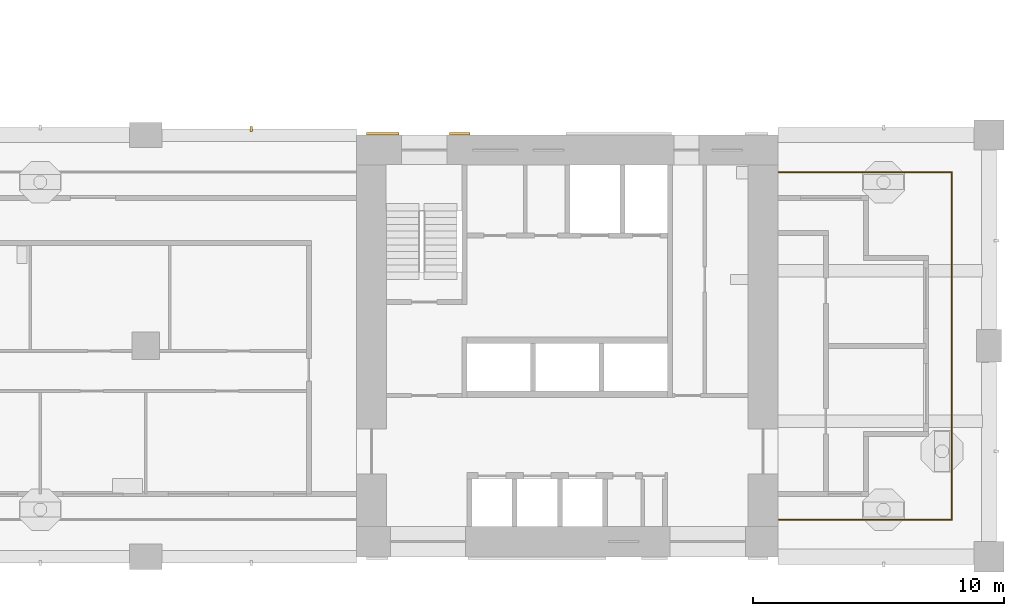
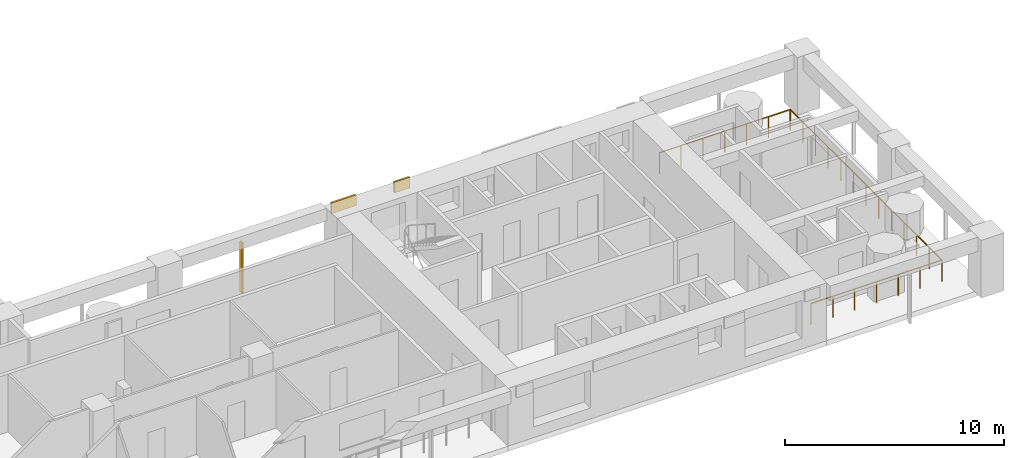
# One storey, part 12 of 18: 3 shading devices, 1 railing.
"""IFC4 building model written with IfcOpenShell, lengths in metres."""

from ifc_helpers import new_model, si_unit, direction, frame, origin, origin_2d, place, context, subcontext, project, spatial, rectangle, circle, extrude, material, layer, layer_set, material_profile, profile_set, type_object, element, save


model = new_model("IFC4")

# Units and contexts
model_context = context("Model", 3, precision=1e-05, world=origin(), true_north=direction((0.0, 1.0)))
body_context = subcontext(model_context, "Body", "Model", "MODEL_VIEW")
ifc_project = project(units=[si_unit("LENGTHUNIT", "METRE"), si_unit("AREAUNIT", "SQUARE_METRE"), si_unit("VOLUMEUNIT", "CUBIC_METRE"), si_unit("PLANEANGLEUNIT", "RADIAN"), si_unit("MASSUNIT", "GRAM", prefix="KILO")], contexts=[model_context])

# Site, building, storey
site_placement = place(None, origin())
site = spatial("IfcSite", under=ifc_project, at=site_placement, CompositionType="ELEMENT")
building_placement = place(site_placement, origin())
building = spatial("IfcBuilding", under=site, at=building_placement, Name="Vermilion Gate Residences", CompositionType="ELEMENT")
storey_placement = place(building_placement, frame((0.0, 0.0, 105.699951171875)))
storey = spatial("IfcBuildingStorey", under=building, at=storey_placement, Name="L26", CompositionType="ELEMENT", Elevation=105.699951171875)

# Railing
ifc_material_1 = material(Name="Stainless steel and toughened glass", Category="steel")
railing_type = type_object("IfcRailingType", Name="LOGGIA GUARD STEEL AND GLASS 1200", PredefinedType="GUARDRAIL", material=ifc_material_1)
railing_placement = place(storey_placement, frame((58.822021484375, 9.875, 0.0)))
element("IfcRailing", 1, at=railing_placement, inside=storey, type_object=railing_type, Name="Loggia guard", PredefinedType="GUARDRAIL", context=body_context, shape_type="SweptSolid", body=[
    extrude(circle(Radius=0.030029296875, at=origin_2d()), frame((0.0, 0.0, 1.169921875), z_axis=(1.0, 0.0, 0.0), x_axis=(0.0, 1.0, 0.0)), (0.0, 0.0, 1.0), 6.903076171875),
    extrude(circle(Radius=0.030029296875, at=origin_2d()), frame((6.903076171875, 0.0, 1.169921875), z_axis=(0.0, 1.0, 0.0), x_axis=(-1.0, 0.0, 0.0)), (0.0, 0.0, 1.0), 13.85009765625),
    extrude(circle(Radius=0.030029296875, at=origin_2d()), frame((6.903076171875, 13.85009765625, 1.169921875), z_axis=(-1.0, 0.0, 0.0), x_axis=(0.0, -1.0, 0.0)), (0.0, 0.0, 1.0), 6.903076171875),
    extrude(circle(Radius=0.02490234375, at=origin_2d()), origin(), (0.0, 0.0, 1.0), 1.139892578125),
    extrude(circle(Radius=0.02490234375, at=origin_2d()), frame((1.150390625, 0.0, 0.0)), (0.0, 0.0, 1.0), 1.139892578125),
    extrude(circle(Radius=0.02490234375, at=origin_2d()), frame((2.301025390625, 0.0, 0.0)), (0.0, 0.0, 1.0), 1.139892578125),
    extrude(circle(Radius=0.02490234375, at=origin_2d()), frame((3.45166015625, 0.0, 0.0)), (0.0, 0.0, 1.0), 1.139892578125),
    extrude(circle(Radius=0.02490234375, at=origin_2d()), frame((4.60205078125, 0.0, 0.0)), (0.0, 0.0, 1.0), 1.139892578125),
    extrude(circle(Radius=0.02490234375, at=origin_2d()), frame((5.75244140625, 0.0, 0.0)), (0.0, 0.0, 1.0), 1.139892578125),
    extrude(circle(Radius=0.02490234375, at=origin_2d()), frame((6.903076171875, 0.0, 0.0)), (0.0, 0.0, 1.0), 1.139892578125),
    extrude(circle(Radius=0.02490234375, at=origin_2d()), frame((6.903076171875, 1.154296875, 0.0)), (0.0, 0.0, 1.0), 1.139892578125),
    extrude(circle(Radius=0.02490234375, at=origin_2d()), frame((6.903076171875, 2.308349609375, 0.0)), (0.0, 0.0, 1.0), 1.139892578125),
    extrude(circle(Radius=0.02490234375, at=origin_2d()), frame((6.903076171875, 3.46240234375, 0.0)), (0.0, 0.0, 1.0), 1.139892578125),
    extrude(circle(Radius=0.02490234375, at=origin_2d()), frame((6.903076171875, 4.61669921875, 0.0)), (0.0, 0.0, 1.0), 1.139892578125),
    extrude(circle(Radius=0.02490234375, at=origin_2d()), frame((6.903076171875, 5.77099609375, 0.0)), (0.0, 0.0, 1.0), 1.139892578125),
    extrude(circle(Radius=0.02490234375, at=origin_2d()), frame((6.903076171875, 6.925048828125, 0.0)), (0.0, 0.0, 1.0), 1.139892578125),
    extrude(circle(Radius=0.02490234375, at=origin_2d()), frame((6.903076171875, 8.0791015625, 0.0)), (0.0, 0.0, 1.0), 1.139892578125),
    extrude(circle(Radius=0.02490234375, at=origin_2d()), frame((6.903076171875, 9.2333984375, 0.0)), (0.0, 0.0, 1.0), 1.139892578125),
    extrude(circle(Radius=0.02490234375, at=origin_2d()), frame((6.903076171875, 10.3876953125, 0.0)), (0.0, 0.0, 1.0), 1.139892578125),
    extrude(circle(Radius=0.02490234375, at=origin_2d()), frame((6.903076171875, 11.541748046875, 0.0)), (0.0, 0.0, 1.0), 1.139892578125),
    extrude(circle(Radius=0.02490234375, at=origin_2d()), frame((6.903076171875, 12.69580078125, 0.0)), (0.0, 0.0, 1.0), 1.139892578125),
    extrude(circle(Radius=0.02490234375, at=origin_2d()), frame((6.903076171875, 13.85009765625, 0.0)), (0.0, 0.0, 1.0), 1.139892578125),
    extrude(circle(Radius=0.02490234375, at=origin_2d()), frame((5.75244140625, 13.85009765625, 0.0)), (0.0, 0.0, 1.0), 1.139892578125),
    extrude(circle(Radius=0.02490234375, at=origin_2d()), frame((4.60205078125, 13.85009765625, 0.0)), (0.0, 0.0, 1.0), 1.139892578125),
    extrude(circle(Radius=0.02490234375, at=origin_2d()), frame((3.45166015625, 13.85009765625, 0.0)), (0.0, 0.0, 1.0), 1.139892578125),
    extrude(circle(Radius=0.02490234375, at=origin_2d()), frame((2.301025390625, 13.85009765625, 0.0)), (0.0, 0.0, 1.0), 1.139892578125),
    extrude(circle(Radius=0.02490234375, at=origin_2d()), frame((1.150390625, 13.85009765625, 0.0)), (0.0, 0.0, 1.0), 1.139892578125),
    extrude(circle(Radius=0.02490234375, at=origin_2d()), frame((0.0, 13.85009765625, 0.0)), (0.0, 0.0, 1.0), 1.139892578125),
])

# Shading devices
ifc_material_2 = material(Name="Extruded terracotta", Category="masonry")
ifc_material_profile = material_profile(ifc_material_2, rectangle(XDim=0.199951171875, YDim=0.10009765625, at=origin_2d()), Name="BAGUETTE 100 X 200")
ifc_profile_set = profile_set([ifc_material_profile], Name="Extruded terracotta")
shading_device_type_1 = type_object("IfcShadingDeviceType", Name="TERRACOTTA BAGUETTE 100 X 200", PredefinedType="JALOUSIE", material=ifc_profile_set)
shading_device_1_placement = place(storey_placement, frame((37.800048828125, 25.449951171875, -0.280029296875), z_axis=(0.0, 0.0, 1.0), x_axis=(0.0, -1.0, 0.0)))
element("IfcShadingDevice", 2, at=shading_device_1_placement, inside=storey, type_object=shading_device_type_1, Name="BAGUETTE", PredefinedType="JALOUSIE", context=body_context, shape_type="SweptSolid", body=[
    extrude(rectangle(XDim=0.199951171875, YDim=0.10009765625, at=origin_2d()), origin(), (0.0, 0.0, 1.0), 2.800048828125),
])
ifc_material_3 = material(Name="Extruded terracotta", Category="masonry")
ifc_layer = layer(ifc_material_3, 0.10009765625)
ifc_layer_set = layer_set([ifc_layer], Name="TERRACOTTA SPANDREL BAND 600 X 100")
shading_device_type_2 = type_object("IfcShadingDeviceType", Name="TERRACOTTA SPANDREL BAND 600 X 100", PredefinedType="USERDEFINED", material=ifc_layer_set)
shading_device_2_placement = place(storey_placement, frame((43.050048828125, 25.25, 2.6201171875), z_axis=(0.0, 0.0, 1.0), x_axis=(1.0, 0.0, 0.0)))
element("IfcShadingDevice", 3, at=shading_device_2_placement, inside=storey, type_object=shading_device_type_2, Name="SPANDREL BAND", ObjectType="BAND", PredefinedType="USERDEFINED", context=body_context, shape_type="SweptSolid", body=[
    extrude(rectangle(XDim=1.300048828125, YDim=0.10009765625, at=origin_2d()), origin(), (0.0, 0.0, 1.0), 0.60009765625),
])
shading_device_3_placement = place(storey_placement, frame((46.112548828125, 25.25, 2.6201171875), z_axis=(0.0, 0.0, 1.0), x_axis=(1.0, 0.0, 0.0)))
element("IfcShadingDevice", 4, at=shading_device_3_placement, inside=storey, type_object=shading_device_type_2, Name="SPANDREL BAND", ObjectType="BAND", PredefinedType="USERDEFINED", context=body_context, shape_type="SweptSolid", body=[
    extrude(rectangle(XDim=0.824951171875, YDim=0.10009765625, at=origin_2d()), origin(), (0.0, 0.0, 1.0), 0.60009765625),
])

save(model, "model.ifc")
